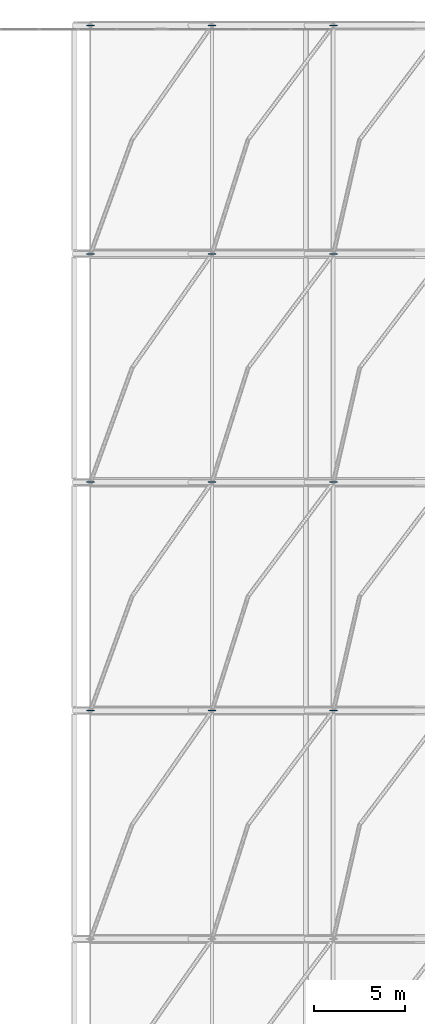
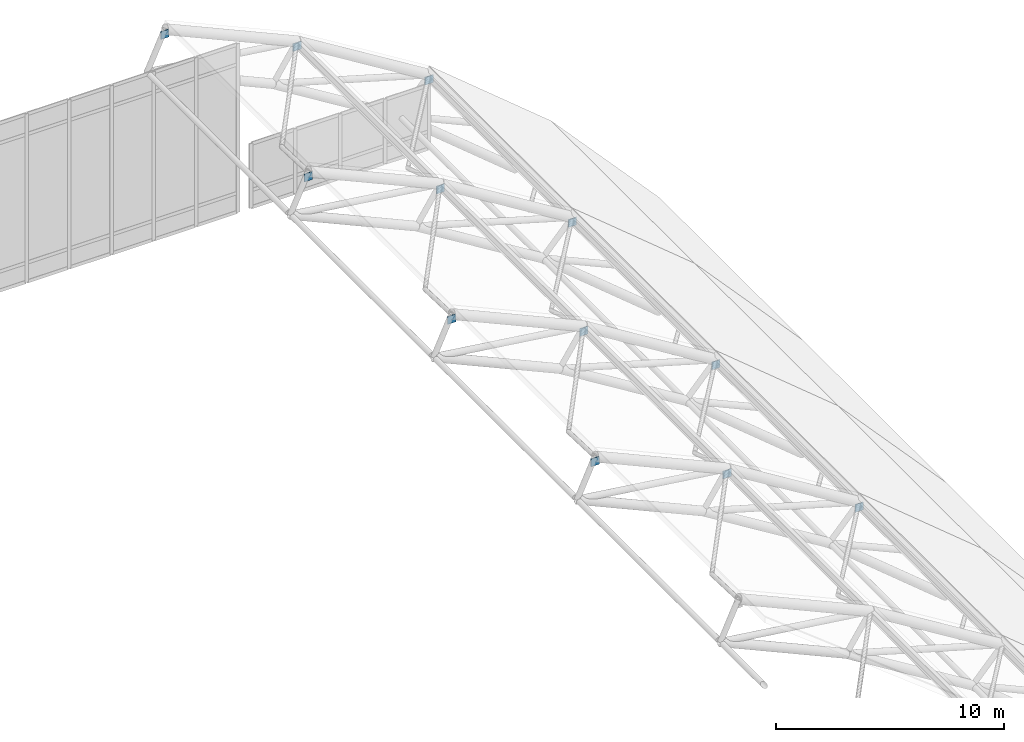
# One storey, part 35 of 42: 12 plates.
"""IFC4 building model written with IfcOpenShell, lengths in metres."""

import ifcopenshell
import ifcopenshell.guid

model = None  # the IFC model being written
_history = None  # IfcOwnerHistory: only IFC2X3 demands one
_inside = {}  # id of a spatial element -> (the spatial element, [elements in it])
_under = {}  # id of a project, library or spatial element -> (it, [spatial elements below it])
_declared = {}  # id of a project -> (the project, [libraries it declares])
_typed = {}  # id of a type object -> (the type object, [elements of that type])
_made_of = {}  # id of a material, layer set ... -> (it, [elements and type objects made of it])


def new_model(schema):
    """Start an empty IFC model of exactly this schema.

    Asked for "IFC4X3", IfcOpenShell would pick the latest addendum, in which some entities
    have other attributes; the version numbers below select the first issue.
    IFC2X3 requires an IfcOwnerHistory on every rooted entity: one is made here for all.
    """
    global model, _history
    if schema == "IFC4X3":
        model = ifcopenshell.file(schema_version=(4, 3, 0, 0))
    else:
        model = ifcopenshell.file(schema=schema)
    _inside.clear()
    _under.clear()
    _declared.clear()
    _typed.clear()
    _made_of.clear()
    _history = None
    if model.schema == "IFC2X3":
        org = make("IfcOrganization", Name="unknown")
        user = make(
            "IfcPersonAndOrganization",
            ThePerson=make("IfcPerson", FamilyName="unknown"),
            TheOrganization=org,
        )
        app = make(
            "IfcApplication",
            ApplicationDeveloper=org,
            Version="unknown",
            ApplicationFullName="unknown",
            ApplicationIdentifier="unknown",
        )
        _history = make(
            "IfcOwnerHistory",
            OwningUser=user,
            OwningApplication=app,
            ChangeAction="ADDED",
            CreationDate=0,
        )
    return model


def make(cls, **values):
    """One entity of the class cls with the attributes given. An attribute that is None is left unset."""
    return model.create_entity(
        cls, **{name: value for name, value in values.items() if value is not None}
    )


def rooted(cls, **values):
    """An entity with a GlobalId (a new one), such as an element, a storey or a relation."""
    return make(cls, GlobalId=ifcopenshell.guid.new(), OwnerHistory=_history, **values)


def si_unit(unit_type, name, prefix=None):
    """IfcSIUnit, for example si_unit("LENGTHUNIT", "METRE", prefix="MILLI")."""
    return make("IfcSIUnit", UnitType=unit_type, Prefix=prefix, Name=name)


def derived_unit(unit_type, elements):
    """IfcDerivedUnit: a product of units, each with its exponent."""
    return make(
        "IfcDerivedUnit",
        Elements=[
            make("IfcDerivedUnitElement", Unit=unit, Exponent=power)
            for unit, power in elements
        ],
        UnitType=unit_type,
    )


def assignment(units):
    """IfcUnitAssignment: the units of a project."""
    return None if units is None else make("IfcUnitAssignment", Units=units)


def point(xyz):
    """IfcCartesianPoint."""
    return None if xyz is None else make("IfcCartesianPoint", Coordinates=xyz)


def direction(xyz):
    """IfcDirection."""
    return None if xyz is None else make("IfcDirection", DirectionRatios=xyz)


def frame(location, z_axis=None, x_axis=None):
    """IfcAxis2Placement3D, a coordinate frame: its origin and axes. An axis left out is left unset."""
    return make(
        "IfcAxis2Placement3D",
        Location=point(location),
        Axis=direction(z_axis),
        RefDirection=direction(x_axis),
    )


def frame_2d(location, x_axis=None):
    """IfcAxis2Placement2D, a coordinate frame in the plane: its origin and x axis."""
    return make(
        "IfcAxis2Placement2D", Location=point(location), RefDirection=direction(x_axis)
    )


def origin():
    """The frame at (0, 0, 0) with its axes left unset."""
    return frame((0.0, 0.0, 0.0))


def origin_2d():
    """The frame at (0, 0) in the plane with its x axis left unset."""
    return frame_2d((0.0, 0.0))


def place(relative_to, where):
    """IfcLocalPlacement: puts the frame where relative to a parent placement (None: the world)."""
    return make(
        "IfcLocalPlacement", PlacementRelTo=relative_to, RelativePlacement=where
    )


def context(
    kind, dimensions, precision=None, world=None, true_north=None, identifier=None
):
    """IfcGeometricRepresentationContext, for example the 3D "Model" context."""
    return make(
        "IfcGeometricRepresentationContext",
        ContextIdentifier=identifier,
        ContextType=kind,
        CoordinateSpaceDimension=dimensions,
        Precision=precision,
        WorldCoordinateSystem=world,
        TrueNorth=true_north,
    )


def subcontext(parent, identifier, kind, view, scale=None):
    """IfcGeometricRepresentationSubContext, for example "Body" below "Model"."""
    return make(
        "IfcGeometricRepresentationSubContext",
        ContextIdentifier=identifier,
        ContextType=kind,
        ParentContext=parent,
        TargetScale=scale,
        TargetView=view,
    )


def project(units=None, contexts=None):
    """IfcProject with its units and contexts."""
    return rooted(
        "IfcProject",
        Name="project",
        RepresentationContexts=contexts,
        UnitsInContext=assignment(units),
    )


def spatial(cls, under=None, at=None, **own):
    """A site, building, storey or space (cls), placed at a placement, below another one or the project."""
    s = rooted(cls, ObjectPlacement=at, **own)
    if under is not None:
        _under.setdefault(under.id(), (under, []))[1].append(s)
    return s


def profile(cls, at=None, kind="AREA", **sizes):
    """A parametric profile (cls). Its sizes go by their IFC names, for example OverallWidth=200.0."""
    return make(cls, ProfileType=kind, Position=at, **sizes)


def rectangle(**sizes):
    """IfcRectangleProfileDef."""
    return profile("IfcRectangleProfileDef", **sizes)


def extrude(swept, where, along, depth):
    """IfcExtrudedAreaSolid: the profile swept, set in the frame where, extruded along a direction by depth."""
    return make(
        "IfcExtrudedAreaSolid",
        SweptArea=swept,
        Position=where,
        ExtrudedDirection=direction(along),
        Depth=depth,
    )


def shape(context_of_items, identifier, shape_type, items):
    """IfcShapeRepresentation: the items that make up one representation, for example the "Body"."""
    return make(
        "IfcShapeRepresentation",
        ContextOfItems=context_of_items,
        RepresentationIdentifier=identifier,
        RepresentationType=shape_type,
        Items=items,
    )


def material(Name=None, Category=None):
    """IfcMaterial."""
    return make("IfcMaterial", Name=Name, Category=Category)


def layer(
    of_material, thickness, ventilated=None, Name=None, Category=None, Priority=None
):
    """IfcMaterialLayer: one layer of a wall or slab, of a material (None: an air gap)."""
    return make(
        "IfcMaterialLayer",
        Material=of_material,
        LayerThickness=thickness,
        IsVentilated=ventilated,
        Name=Name,
        Category=Category,
        Priority=Priority,
    )


def layer_set(layers, Name=None):
    """IfcMaterialLayerSet."""
    return make("IfcMaterialLayerSet", MaterialLayers=layers, LayerSetName=Name)


def made_of(thing, what):
    """Note that an element or type object is made of a material, layer set ...; save() writes the relation."""
    if what is not None:
        _made_of.setdefault(what.id(), (what, []))[1].append(thing)
    return thing


def type_object(cls, material=None, **own):
    """A type object (cls), such as IfcWallType, which elements share."""
    return made_of(rooted(cls, **own), material)


def element(
    cls,
    number,
    at=None,
    inside=None,
    cuts=None,
    type_object=None,
    material=None,
    context=None,
    identifier="Body",
    shape_type=None,
    held_by="IfcProductDefinitionShape",
    body=None,
    shapes=None,
    **own,
):
    """One element of the class cls, such as IfcWall. Its Tag is "e" and its number.

    at: its placement. inside: the storey or other place that contains it. cuts: it is an
    opening in that element (IfcRelVoidsElement). A single representation is given by context,
    identifier, shape_type and body (its items); several are given by shapes. held_by: the class
    of the entity that holds the representations. save() writes the other relations.
    """
    e = rooted(cls, Tag="e%d" % number, ObjectPlacement=at, **own)
    if body is not None:
        shapes = [shape(context, identifier, shape_type, body)]
    if shapes is not None:
        e.Representation = make(held_by, Representations=shapes)
    if inside is not None:
        _inside.setdefault(inside.id(), (inside, []))[1].append(e)
    if cuts is not None:
        rooted(
            "IfcRelVoidsElement", RelatingBuildingElement=cuts, RelatedOpeningElement=e
        )
    if type_object is not None:
        _typed.setdefault(type_object.id(), (type_object, []))[1].append(e)
    return made_of(e, material)


def aggregate(whole, parts):
    """IfcRelAggregates: a whole, such as a stair, and the parts it consists of."""
    return rooted("IfcRelAggregates", RelatingObject=whole, RelatedObjects=parts)


def save(model, path):
    """Write the relations noted so far, then the file.

    IfcRelAggregates (storeys below a building ...), IfcRelContainedInSpatialStructure (elements
    in a storey), IfcRelDefinesByType, IfcRelAssociatesMaterial and IfcRelDeclares: one each for
    every whole, place, type object, material and project.
    """
    for whole, parts in _under.values():
        aggregate(whole, parts)
    for where, things in _inside.values():
        rooted(
            "IfcRelContainedInSpatialStructure",
            RelatedElements=things,
            RelatingStructure=where,
        )
    for kind, things in _typed.values():
        rooted("IfcRelDefinesByType", RelatedObjects=things, RelatingType=kind)
    for what, things in _made_of.values():
        rooted("IfcRelAssociatesMaterial", RelatedObjects=things, RelatingMaterial=what)
    for by, libraries in _declared.values():
        rooted("IfcRelDeclares", RelatingContext=by, RelatedDefinitions=libraries)
    model.write(path)


model = new_model("IFC4")

# Units and contexts
model_context = context("Model", 3, precision=1e-05, world=origin(), true_north=direction((0.0, 1.0)))
body_context = subcontext(model_context, "Body", "Model", "MODEL_VIEW")
ifc_project = project(units=[si_unit("LENGTHUNIT", "METRE"), si_unit("AREAUNIT", "SQUARE_METRE"), si_unit("VOLUMEUNIT", "CUBIC_METRE"), si_unit("PLANEANGLEUNIT", "RADIAN"), si_unit("MASSUNIT", "GRAM", prefix="KILO"), derived_unit("THERMALTRANSMITTANCEUNIT", [(si_unit("MASSUNIT", "GRAM", prefix="KILO"), 1), (si_unit("TIMEUNIT", "SECOND"), -3), (si_unit("THERMODYNAMICTEMPERATUREUNIT", "KELVIN"), -1)])], contexts=[model_context])

# Site, building, storey
site_placement = place(None, origin())
site = spatial("IfcSite", under=ifc_project, at=site_placement, CompositionType="ELEMENT")
building_placement = place(site_placement, origin())
building = spatial("IfcBuilding", under=site, at=building_placement, Name="Valcora Ridge Arena", CompositionType="ELEMENT")
storey_placement = place(building_placement, frame((0.0, 0.0, 26.39990234375)))
storey = spatial("IfcBuildingStorey", under=building, at=storey_placement, Name="L05", CompositionType="ELEMENT", Elevation=26.39990234375)

# Plates
ifc_material = material(Name="Steel ASTM A572 Grade 50", Category="steel")
ifc_layer = layer(ifc_material, 0.031982421875, Name="Steel ASTM A572 Grade 50")
ifc_layer_set = layer_set([ifc_layer], Name="Steel ASTM A572 Grade 50")
plate_type = type_object("IfcPlateType", Name="TY-PLATE-PL-NODE-32", PredefinedType="USERDEFINED", material=ifc_layer_set)
for number, where, z_axis, x_axis, name in (
    (1, (75.89990234375, 70.39990234375, 10.446044921875), (0.0, 0.0, 1.0), (1.0, 0.0, 0.0), "PL-NODE-32 SF-GP-0065"),
    (2, (82.60009765625, 70.39990234375, 7.447509765625), (0.0, 0.0, 1.0), (1.0, 0.0, 0.0), "PL-NODE-32 SF-GP-0066"),
    (3, (89.300048828125, 70.39990234375, 3.31005859375), (0.0, 0.0, 1.0), (1.0, 0.0, 0.0), "PL-NODE-32 SF-GP-0067"),
    (4, (75.89990234375, 83.0, 10.446044921875), (0.0, 0.0, 1.0), (1.0, 0.0, 0.0), "PL-NODE-32 SF-GP-0079"),
    (5, (82.60009765625, 83.0, 7.447509765625), (0.0, 0.0, 1.0), (1.0, 0.0, 0.0), "PL-NODE-32 SF-GP-0080"),
    (6, (89.300048828125, 83.0, 3.31005859375), (0.0, 0.0, 1.0), (1.0, 0.0, 0.0), "PL-NODE-32 SF-GP-0081"),
    (7, (75.89990234375, 95.60009765625, 10.446044921875), (0.0, 0.0, 1.0), (1.0, 0.0, 0.0), "PL-NODE-32 SF-GP-0093"),
    (8, (82.60009765625, 95.60009765625, 7.447509765625), (0.0, 0.0, 1.0), (1.0, 0.0, 0.0), "PL-NODE-32 SF-GP-0094"),
    (9, (89.300048828125, 95.60009765625, 3.31005859375), (0.0, 0.0, 1.0), (1.0, 0.0, 0.0), "PL-NODE-32 SF-GP-0095"),
    (10, (75.89990234375, 108.199951171875, 10.446044921875), (0.0, 0.0, 1.0), (1.0, 0.0, 0.0), "PL-NODE-32 SF-GP-0107"),
    (11, (82.60009765625, 108.199951171875, 7.447509765625), (0.0, 0.0, 1.0), (1.0, 0.0, 0.0), "PL-NODE-32 SF-GP-0108"),
    (12, (89.300048828125, 108.199951171875, 3.31005859375), (0.0, 0.0, 1.0), (1.0, 0.0, 0.0), "PL-NODE-32 SF-GP-0109"),
):
    element("IfcPlate", number, at=place(storey_placement, frame(where, z_axis=z_axis, x_axis=x_axis)), inside=storey, type_object=plate_type, Name=name, ObjectType="GUSSET_PLATE", PredefinedType="USERDEFINED", context=body_context, shape_type="SweptSolid", body=[
        extrude(rectangle(XDim=0.419921875, YDim=0.031982421875, at=origin_2d()), origin(), (0.0, 0.0, 1.0), 0.419921875),
    ])

save(model, "model.ifc")
